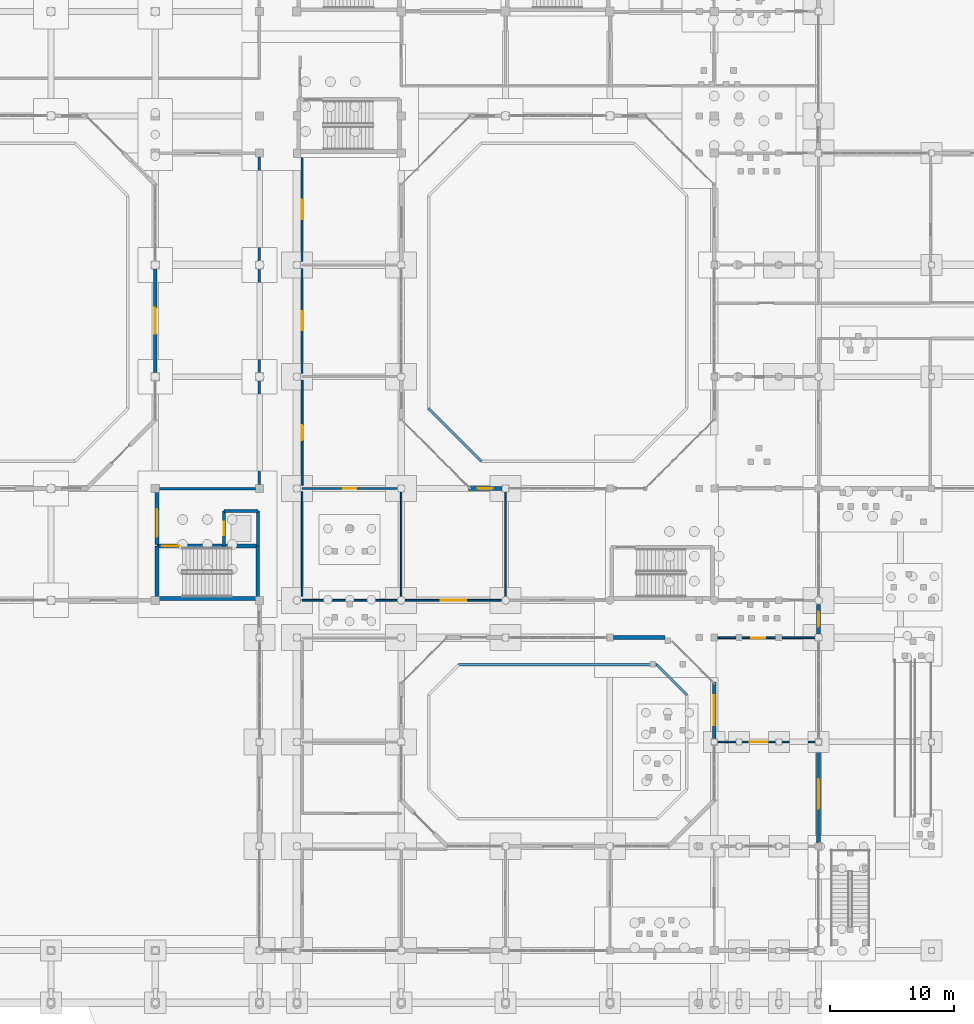
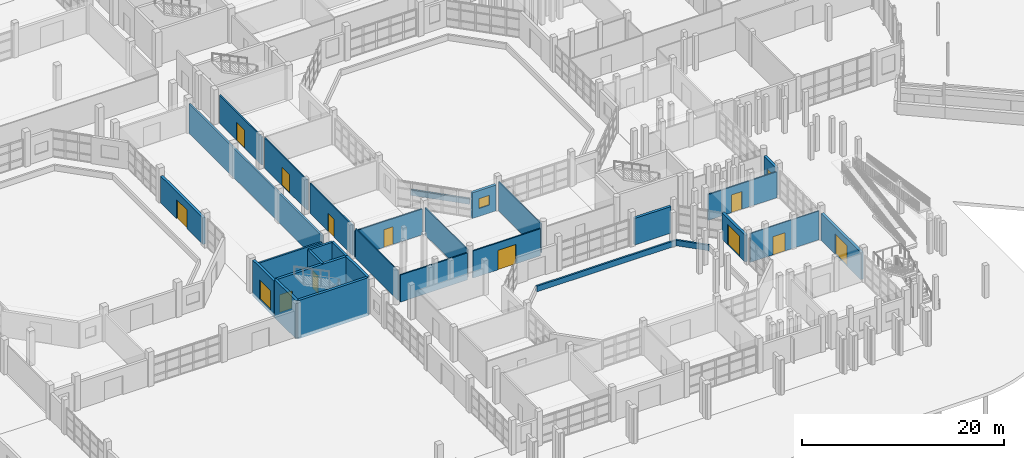
# One storey, part 59 of 88: 30 walls, 13 doors, 2 windows, 15 openings.
"""IFC4 building model written with IfcOpenShell, lengths in metres."""

from ifc_helpers import new_model, si_unit, direction, frame, frame_2d, origin, place, context, subcontext, project, spatial, rectangle, extrude, material, layer, layer_set, type_object, element, fill, save


model = new_model("IFC4")

# Units and contexts
model_context = context("Model", 3, precision=1e-05, world=origin(), true_north=direction((0.0, 1.0)))
body_context = subcontext(model_context, "Body", "Model", "MODEL_VIEW")
ifc_project = project(units=[si_unit("LENGTHUNIT", "METRE"), si_unit("AREAUNIT", "SQUARE_METRE"), si_unit("VOLUMEUNIT", "CUBIC_METRE"), si_unit("PLANEANGLEUNIT", "RADIAN"), si_unit("MASSUNIT", "GRAM", prefix="KILO")], contexts=[model_context])

# Site, building, storey
site_placement = place(None, origin())
site = spatial("IfcSite", under=ifc_project, at=site_placement, CompositionType="ELEMENT")
building_placement = place(site_placement, origin())
building = spatial("IfcBuilding", under=site, at=building_placement, Name="Vanh Quang Courtyard School", CompositionType="ELEMENT")
storey_placement = place(building_placement, origin())
storey = spatial("IfcBuildingStorey", under=building, at=storey_placement, Name="L00", CompositionType="ELEMENT", Elevation=0.0)

# Walls
ifc_material_1 = material(Name="Concrete C30/37", Category="concrete")
ifc_layer_1 = layer(ifc_material_1, 0.199951171875)
ifc_layer_set_1 = layer_set([ifc_layer_1], Name="Concrete C30/37")
wall_type_1 = type_object("IfcWallType", Name="W-COMP-200", PredefinedType="PARTITIONING", material=ifc_layer_set_1)
wall_1_placement = place(storey_placement, frame((74.3798828125, 68.076904296875, 0.0), z_axis=(0.0, 0.0, 1.0), x_axis=(0.0, -1.0, 0.0)))
element("IfcWall", 1, at=wall_1_placement, inside=storey, type_object=wall_type_1, Name="Wall W-COMP1 (L00)", PredefinedType="PARTITIONING", context=body_context, shape_type="SweptSolid", body=[
    extrude(rectangle(XDim=26.35400390625, YDim=0.199951171875, at=frame_2d((13.177001953125, 0.0))), origin(), (0.0, 0.0, 1.0), 3.56005859375),
])
wall_2_placement = place(storey_placement, frame((74.076904296875, 41.39990234375, 0.0), z_axis=(0.0, 0.0, 1.0), x_axis=(-1.0, 0.0, 0.0)))
element("IfcWall", 2, at=wall_2_placement, inside=storey, type_object=wall_type_1, Name="Wall W-COMP1 (L00)", PredefinedType="PARTITIONING", context=body_context, shape_type="SweptSolid", body=[
    extrude(rectangle(XDim=7.75390625, YDim=0.199951171875, at=frame_2d((3.876953125, 0.0))), origin(), (0.0, 0.0, 1.0), 3.1201171875),
])
ifc_material_2 = material(Name="Concrete C35/45", Category="concrete")
ifc_layer_2 = layer(ifc_material_2, 0.300048828125)
ifc_layer_set_2 = layer_set([ifc_layer_2], Name="Concrete C35/45")
wall_type_2 = type_object("IfcWallType", Name="W-CORE-300", PredefinedType="SHEAR", material=ifc_layer_set_2)
wall_3_placement = place(storey_placement, frame((66.139892578125, 32.5400390625, -0.39990234375), z_axis=(0.0, 0.0, 1.0), x_axis=(1.0, 0.0, 0.0)))
element("IfcWall", 3, at=wall_3_placement, inside=storey, type_object=wall_type_2, Name="Wall W-CORE1 (L00)", PredefinedType="SHEAR", context=body_context, shape_type="SweptSolid", body=[
    extrude(rectangle(XDim=8.1201171875, YDim=0.300048828125, at=frame_2d((4.06005859375, 0.0))), origin(), (0.0, 0.0, 1.0), 4.599853515625),
])
wall_4_placement = place(storey_placement, frame((74.260009765625, 32.5400390625, -0.39990234375), z_axis=(0.0, 0.0, 1.0), x_axis=(0.0, 1.0, 0.0)))
element("IfcWall", 4, at=wall_4_placement, inside=storey, type_object=wall_type_2, Name="Wall W-CORE1 (L00)", PredefinedType="SHEAR", context=body_context, shape_type="SweptSolid", body=[
    extrude(rectangle(XDim=4.239990234375, YDim=0.300048828125, at=frame_2d((2.1201171875, 0.0))), origin(), (0.0, 0.0, 1.0), 4.599853515625),
])

# Wall, opening, door
wall_5_placement = place(storey_placement, frame((74.260009765625, 36.780029296875, -0.39990234375), z_axis=(0.0, 0.0, 1.0), x_axis=(-1.0, 0.0, 0.0)))
wall_5 = element("IfcWall", 5, at=wall_5_placement, inside=storey, type_object=wall_type_2, Name="Wall W-CORE1 (L00)", PredefinedType="SHEAR", context=body_context, shape_type="SweptSolid", body=[
    extrude(rectangle(XDim=8.1201171875, YDim=0.300048828125, at=frame_2d((4.06005859375, 0.0))), origin(), (0.0, 0.0, 1.0), 4.599853515625),
])
opening_1_placement = place(wall_5_placement, frame((6.27001953125, 0.0, 0.39990234375)))
opening_1 = element("IfcOpeningElement", 6, at=opening_1_placement, cuts=wall_5, Name="Opening L00-DS4", PredefinedType="OPENING", context=body_context, shape_type="SweptSolid", body=[
    extrude(rectangle(XDim=1.419921875, YDim=2.14990234375, at=frame_2d((0.7099609375, 1.074951171875))), frame((0.0, 0.16015625, 0.0), z_axis=(0.0, -1.0, 0.0), x_axis=(1.0, 0.0, 0.0)), (0.0, 0.0, 1.0), 0.320068359375),
])
ifc_material_3 = material(Name="Painted galvanised steel fire door", Category="steel")
door_type_1 = type_object("IfcDoorType", Name="IDR-ST-1420x2150", OperationType="NOTDEFINED", PredefinedType="DOOR", material=ifc_material_3)
door_1_placement = place(opening_1_placement, origin())
door_1 = element("IfcDoor", 7, at=door_1_placement, inside=storey, type_object=door_type_1, Name="Door L00-DS4 (L00)", OperationType="SINGLE_SWING_RIGHT", OverallHeight=2.14990234375, OverallWidth=1.419921875, PredefinedType="DOOR", context=body_context, shape_type="SweptSolid", body=[
    extrude(rectangle(XDim=1.419921875, YDim=2.14990234375, at=frame_2d((0.7099609375, 1.074951171875))), frame((0.0, 0.02490234375, 0.0), z_axis=(0.0, -1.0, 0.0), x_axis=(1.0, 0.0, 0.0)), (0.0, 0.0, 1.0), 0.050048828125),
])
fill(opening_1, door_1)

# Wall
wall_6_placement = place(storey_placement, frame((66.139892578125, 36.780029296875, -0.39990234375), z_axis=(0.0, 0.0, 1.0), x_axis=(0.0, -1.0, 0.0)))
element("IfcWall", 8, at=wall_6_placement, inside=storey, type_object=wall_type_2, Name="Wall W-CORE1 (L00)", PredefinedType="SHEAR", context=body_context, shape_type="SweptSolid", body=[
    extrude(rectangle(XDim=4.239990234375, YDim=0.300048828125, at=frame_2d((2.1201171875, 0.0))), origin(), (0.0, 0.0, 1.0), 4.599853515625),
])

# Wall, opening, door
wall_7_placement = place(storey_placement, frame((66.139892578125, 41.10009765625, -0.39990234375), z_axis=(0.0, 0.0, 1.0), x_axis=(0.0, -1.0, 0.0)))
wall_7 = element("IfcWall", 9, at=wall_7_placement, inside=storey, type_object=wall_type_2, Name="Wall W-CORE1 (L00)", PredefinedType="SHEAR", context=body_context, shape_type="SweptSolid", body=[
    extrude(rectangle(XDim=4.22021484375, YDim=0.300048828125, at=frame_2d((2.110107421875, 0.0))), origin(), (0.0, 0.0, 1.0), 4.31982421875),
])
opening_2_placement = place(wall_7_placement, frame((1.385009765625, 0.0, 0.39990234375)))
opening_2 = element("IfcOpeningElement", 10, at=opening_2_placement, cuts=wall_7, Name="Opening L00-EXD4", PredefinedType="OPENING", context=body_context, shape_type="SweptSolid", body=[
    extrude(rectangle(XDim=2.199951171875, YDim=2.35009765625, at=frame_2d((1.10009765625, 1.175048828125))), frame((0.0, 0.16015625, 0.0), z_axis=(0.0, -1.0, 0.0), x_axis=(1.0, 0.0, 0.0)), (0.0, 0.0, 1.0), 0.320068359375),
])
ifc_material_4 = material(Name="Thermally broken aluminium and laminated safety glass", Category="aluminium")
door_type_2 = type_object("IfcDoorType", Name="EDR-TYP-12", OperationType="NOTDEFINED", PredefinedType="DOOR", material=ifc_material_4)
door_2_placement = place(opening_2_placement, origin())
door_2 = element("IfcDoor", 11, at=door_2_placement, inside=storey, type_object=door_type_2, Name="Door L00-EXD4 (L00)", OperationType="SINGLE_SWING_RIGHT", OverallHeight=2.35009765625, OverallWidth=2.199951171875, PredefinedType="DOOR", context=body_context, shape_type="SweptSolid", body=[
    extrude(rectangle(XDim=2.199951171875, YDim=2.35009765625, at=frame_2d((1.10009765625, 1.175048828125))), frame((0.0, 0.02490234375, 0.0), z_axis=(0.0, -1.0, 0.0), x_axis=(1.0, 0.0, 0.0)), (0.0, 0.0, 1.0), 0.050048828125),
])
fill(opening_2, door_2)

# Wall, opening, window
ifc_layer_3 = layer(ifc_material_2, 0.300048828125)
ifc_layer_set_3 = layer_set([ifc_layer_3], Name="Concrete C35/45")
wall_type_3 = type_object("IfcWallType", Name="W-EXT-300", PredefinedType="SOLIDWALL", material=ifc_layer_set_3)
wall_8_placement = place(storey_placement, frame((119.39990234375, 32.076904296875, 0.0), z_axis=(0.0, 0.0, 1.0), x_axis=(0.0, -1.0, 0.0)))
wall_8 = element("IfcWall", 12, at=wall_8_placement, inside=storey, type_object=wall_type_3, Name="Wall WE-01 (L00)", PredefinedType="SOLIDWALL", context=body_context, shape_type="SweptSolid", body=[
    extrude(rectangle(XDim=2.40380859375, YDim=0.300048828125, at=frame_2d((1.201904296875, 0.0))), origin(), (0.0, 0.0, 1.0), 3.330078125),
])
opening_3_placement = place(wall_8_placement, frame((0.60205078125, 0.0, 0.949951171875)))
opening_3 = element("IfcOpeningElement", 13, at=opening_3_placement, cuts=wall_8, Name="Opening WN-01", PredefinedType="OPENING", context=body_context, shape_type="SweptSolid", body=[
    extrude(rectangle(XDim=1.199951171875, YDim=1.199951171875, at=frame_2d((0.60009765625, 0.60009765625))), frame((0.0, 0.16015625, 0.0), z_axis=(0.0, -1.0, 0.0), x_axis=(1.0, 0.0, 0.0)), (0.0, 0.0, 1.0), 0.320068359375),
])
ifc_material_5 = material(Name="Anodised aluminium and low-E double glazing", Category="aluminium")
window_type = type_object("IfcWindowType", Name="WIN-TYP-01", PartitioningType="SINGLE_PANEL", PredefinedType="WINDOW", material=ifc_material_5)
window_1_placement = place(opening_3_placement, origin())
window_1 = element("IfcWindow", 14, at=window_1_placement, inside=storey, type_object=window_type, Name="Window WN-01 (L00)", OverallHeight=1.199951171875, OverallWidth=1.199951171875, PartitioningType="SINGLE_PANEL", PredefinedType="WINDOW", context=body_context, shape_type="SweptSolid", body=[
    extrude(rectangle(XDim=1.199951171875, YDim=1.199951171875, at=frame_2d((0.60009765625, 0.60009765625))), frame((0.0, 0.030029296875, 0.0), z_axis=(0.0, -1.0, 0.0), x_axis=(1.0, 0.0, 0.0)), (0.0, 0.0, 1.0), 0.06005859375),
])
fill(opening_3, window_1)

# Wall, opening, door
wall_9_placement = place(storey_placement, frame((119.39990234375, 20.72705078125, 0.0), z_axis=(0.0, 0.0, 1.0), x_axis=(0.0, -1.0, 0.0)))
wall_9 = element("IfcWall", 15, at=wall_9_placement, inside=storey, type_object=wall_type_3, Name="Wall WE-01 (L00)", PredefinedType="SOLIDWALL", context=body_context, shape_type="SweptSolid", body=[
    extrude(rectangle(XDim=7.85400390625, YDim=0.300048828125, at=frame_2d((3.927001953125, 0.0))), origin(), (0.0, 0.0, 1.0), 3.280029296875),
])
opening_4_placement = place(wall_9_placement, frame((2.72705078125, 0.0, 0.0)))
opening_4 = element("IfcOpeningElement", 16, at=opening_4_placement, cuts=wall_9, Name="Opening L00-EX23", PredefinedType="OPENING", context=body_context, shape_type="SweptSolid", body=[
    extrude(rectangle(XDim=2.39990234375, YDim=2.449951171875, at=frame_2d((1.199951171875, 1.22509765625))), frame((0.0, 0.16015625, 0.0), z_axis=(0.0, -1.0, 0.0), x_axis=(1.0, 0.0, 0.0)), (0.0, 0.0, 1.0), 0.320068359375),
])
door_type_3 = type_object("IfcDoorType", Name="EDR-TYP-14", OperationType="NOTDEFINED", PredefinedType="DOOR", material=ifc_material_4)
door_3_placement = place(opening_4_placement, origin())
door_3 = element("IfcDoor", 17, at=door_3_placement, inside=storey, type_object=door_type_3, Name="Door L00-EX23 (L00)", OperationType="DOUBLE_DOOR_SINGLE_SWING", OverallHeight=2.449951171875, OverallWidth=2.39990234375, PredefinedType="DOOR", context=body_context, shape_type="SweptSolid", body=[
    extrude(rectangle(XDim=2.39990234375, YDim=2.449951171875, at=frame_2d((1.199951171875, 1.22509765625))), frame((0.0, 0.02490234375, 0.0), z_axis=(0.0, -1.0, 0.0), x_axis=(1.0, 0.0, 0.0)), (0.0, 0.0, 1.0), 0.050048828125),
])
fill(opening_4, door_3)

# Wall
wall_10_placement = place(storey_placement, frame((107.027099609375, 29.39990234375, 0.0), z_axis=(0.0, 0.0, 1.0), x_axis=(-1.0, 0.0, 0.0)))
element("IfcWall", 18, at=wall_10_placement, inside=storey, type_object=wall_type_3, Name="Wall WE-01 (L00)", PredefinedType="SOLIDWALL", context=body_context, shape_type="SweptSolid", body=[
    extrude(rectangle(XDim=4.154052734375, YDim=0.300048828125, at=frame_2d((2.0771484375, 0.0))), origin(), (0.0, 0.0, 1.0), 3.219970703125),
])

# Wall, opening, door
wall_11_placement = place(storey_placement, frame((111.0, 21.27294921875, 0.0), z_axis=(0.0, 0.0, 1.0), x_axis=(0.0, 1.0, 0.0)))
wall_11 = element("IfcWall", 19, at=wall_11_placement, inside=storey, type_object=wall_type_3, Name="Wall WE-01 (L00)", PredefinedType="SOLIDWALL", context=body_context, shape_type="SweptSolid", body=[
    extrude(rectangle(XDim=4.551025390625, YDim=0.300048828125, at=frame_2d((2.275390625, 0.0))), origin(), (0.0, 0.0, 1.0), 3.219970703125),
])
opening_5_placement = place(wall_11_placement, frame((1.075439453125, 0.0, 0.0)))
opening_5 = element("IfcOpeningElement", 20, at=opening_5_placement, cuts=wall_11, Name="Opening L00-EX37", PredefinedType="OPENING", context=body_context, shape_type="SweptSolid", body=[
    extrude(rectangle(XDim=2.39990234375, YDim=2.449951171875, at=frame_2d((1.199951171875, 1.22509765625))), frame((0.0, 0.16015625, 0.0), z_axis=(0.0, -1.0, 0.0), x_axis=(1.0, 0.0, 0.0)), (0.0, 0.0, 1.0), 0.320068359375),
])
door_4_placement = place(opening_5_placement, origin())
door_4 = element("IfcDoor", 21, at=door_4_placement, inside=storey, type_object=door_type_3, Name="Door L00-EX37 (L00)", OperationType="DOUBLE_DOOR_SINGLE_SWING", OverallHeight=2.449951171875, OverallWidth=2.39990234375, PredefinedType="DOOR", context=body_context, shape_type="SweptSolid", body=[
    extrude(rectangle(XDim=2.39990234375, YDim=2.449951171875, at=frame_2d((1.199951171875, 1.22509765625))), frame((0.0, 0.02490234375, 0.0), z_axis=(0.0, -1.0, 0.0), x_axis=(1.0, 0.0, 0.0)), (0.0, 0.0, 1.0), 0.050048828125),
])
fill(opening_5, door_4)

wall_12_placement = place(storey_placement, frame((66.0, 50.722900390625, 0.0), z_axis=(0.0, 0.0, 1.0), x_axis=(0.0, 1.0, 0.0)))
wall_12 = element("IfcWall", 22, at=wall_12_placement, inside=storey, type_object=wall_type_3, Name="Wall WE-01 (L00)", PredefinedType="SOLIDWALL", context=body_context, shape_type="SweptSolid", body=[
    extrude(rectangle(XDim=8.35400390625, YDim=0.300048828125, at=frame_2d((4.177001953125, 0.0))), origin(), (0.0, 0.0, 1.0), 3.219970703125),
])
opening_6_placement = place(wall_12_placement, frame((3.126953125, 0.0, 0.0)))
opening_6 = element("IfcOpeningElement", 23, at=opening_6_placement, cuts=wall_12, Name="Opening L00-EX40", PredefinedType="OPENING", context=body_context, shape_type="SweptSolid", body=[
    extrude(rectangle(XDim=2.10009765625, YDim=2.300048828125, at=frame_2d((1.050048828125, 1.14990234375))), frame((0.0, 0.16015625, 0.0), z_axis=(0.0, -1.0, 0.0), x_axis=(1.0, 0.0, 0.0)), (0.0, 0.0, 1.0), 0.320068359375),
])
door_type_4 = type_object("IfcDoorType", Name="EDR-TYP-11", OperationType="NOTDEFINED", PredefinedType="DOOR", material=ifc_material_4)
door_5_placement = place(opening_6_placement, origin())
door_5 = element("IfcDoor", 24, at=door_5_placement, inside=storey, type_object=door_type_4, Name="Door L00-EX40 (L00)", OperationType="DOUBLE_DOOR_SINGLE_SWING", OverallHeight=2.300048828125, OverallWidth=2.10009765625, PredefinedType="DOOR", context=body_context, shape_type="SweptSolid", body=[
    extrude(rectangle(XDim=2.10009765625, YDim=2.300048828125, at=frame_2d((1.050048828125, 1.14990234375))), frame((0.0, 0.02490234375, 0.0), z_axis=(0.0, -1.0, 0.0), x_axis=(1.0, 0.0, 0.0)), (0.0, 0.0, 1.0), 0.050048828125),
])
fill(opening_6, door_5)

# Wall, opening, window
wall_13_placement = place(storey_placement, frame((91.22412109375, 41.39990234375, 0.0), z_axis=(0.0, 0.0, 1.0), x_axis=(1.0, 0.0, 0.0)))
wall_13 = element("IfcWall", 25, at=wall_13_placement, inside=storey, type_object=wall_type_3, Name="Wall WE-01 (L00)", PredefinedType="SOLIDWALL", context=body_context, shape_type="SweptSolid", body=[
    extrude(rectangle(XDim=2.702880859375, YDim=0.300048828125, at=frame_2d((1.3515625, 0.0))), origin(), (0.0, 0.0, 1.0), 3.1201171875),
])
opening_7_placement = place(wall_13_placement, frame((0.75146484375, 0.0, 0.949951171875)))
opening_7 = element("IfcOpeningElement", 26, at=opening_7_placement, cuts=wall_13, Name="Opening WN-01", PredefinedType="OPENING", context=body_context, shape_type="SweptSolid", body=[
    extrude(rectangle(XDim=1.199951171875, YDim=1.199951171875, at=frame_2d((0.60009765625, 0.60009765625))), frame((0.0, 0.16015625, 0.0), z_axis=(0.0, -1.0, 0.0), x_axis=(1.0, 0.0, 0.0)), (0.0, 0.0, 1.0), 0.320068359375),
])
window_2_placement = place(opening_7_placement, origin())
window_2 = element("IfcWindow", 27, at=window_2_placement, inside=storey, type_object=window_type, Name="Window WN-01 (L00)", OverallHeight=1.199951171875, OverallWidth=1.199951171875, PartitioningType="SINGLE_PANEL", PredefinedType="WINDOW", context=body_context, shape_type="SweptSolid", body=[
    extrude(rectangle(XDim=1.199951171875, YDim=1.199951171875, at=frame_2d((0.60009765625, 0.60009765625))), frame((0.0, 0.030029296875, 0.0), z_axis=(0.0, -1.0, 0.0), x_axis=(1.0, 0.0, 0.0)), (0.0, 0.0, 1.0), 0.06005859375),
])
fill(opening_7, window_2)

# Walls
ifc_layer_4 = layer(ifc_material_2, 0.199951171875)
ifc_layer_set_4 = layer_set([ifc_layer_4], Name="Concrete C35/45")
wall_type_4 = type_object("IfcWallType", Name="W-PAR-200", PredefinedType="PARAPET", material=ifc_layer_set_4)
wall_14_placement = place(storey_placement, frame((90.4072265625, 27.199951171875, 0.0), z_axis=(0.0, 0.0, 1.0), x_axis=(1.0, 0.0, 0.0)))
element("IfcWall", 28, at=wall_14_placement, inside=storey, type_object=wall_type_4, Name="Wall WP-01 (L00)", PredefinedType="PARAPET", context=body_context, shape_type="SweptSolid", body=[
    extrude(rectangle(XDim=15.9853515625, YDim=0.199951171875, at=frame_2d((7.99267578125, 0.0))), origin(), (0.0, 0.0, 1.0), 0.679931640625),
])
wall_15_placement = place(storey_placement, frame((106.392578125, 27.199951171875, 0.0), z_axis=(0.0, 0.0, 1.0), x_axis=(0.707142635801, -0.707070924754, 0.0)))
element("IfcWall", 29, at=wall_15_placement, inside=storey, type_object=wall_type_4, Name="Wall WP-01 (L00)", PredefinedType="PARAPET", context=body_context, shape_type="SweptSolid", body=[
    extrude(rectangle(XDim=3.404541015625, YDim=0.199951171875, at=frame_2d((1.7021484375, 0.0))), origin(), (0.0, 0.0, 1.0), 0.679931640625),
])
wall_16_placement = place(storey_placement, frame((92.25537109375, 43.60009765625, 0.0), z_axis=(0.0, 0.0, 1.0), x_axis=(-0.707127065665, 0.707086496126, 0.0)))
element("IfcWall", 30, at=wall_16_placement, inside=storey, type_object=wall_type_4, Name="Wall WP-01 (L00)", PredefinedType="PARAPET", context=body_context, shape_type="SweptSolid", body=[
    extrude(rectangle(XDim=6.017822265625, YDim=0.199951171875, at=frame_2d((3.0087890625, 0.0))), origin(), (0.0, 0.0, 1.0), 0.679931640625),
])
ifc_material_6 = material(Name="Acoustic gypsum stud partition", Category="gypsum")
ifc_layer_5 = layer(ifc_material_6, 0.1201171875)
ifc_layer_set_5 = layer_set([ifc_layer_5], Name="Acoustic gypsum stud partition")
wall_type_5 = type_object("IfcWallType", Name="W-PART-120", PredefinedType="PARTITIONING", material=ifc_layer_set_5)
wall_17_placement = place(storey_placement, frame((85.800048828125, 41.126953125, 0.0), z_axis=(0.0, 0.0, 1.0), x_axis=(0.0, -1.0, 0.0)))
element("IfcWall", 31, at=wall_17_placement, inside=storey, type_object=wall_type_5, Name="Wall W-PRT2 (L00)", PredefinedType="PARTITIONING", context=body_context, shape_type="SweptSolid", body=[
    extrude(rectangle(XDim=8.404052734375, YDim=0.1201171875, at=frame_2d((4.2021484375, 0.0))), origin(), (0.0, 0.0, 1.0), 3.320068359375),
])
wall_18_placement = place(storey_placement, frame((77.820068359375, 32.722900390625, 0.0), z_axis=(0.0, 0.0, 1.0), x_axis=(0.0, 1.0, 0.0)))
element("IfcWall", 32, at=wall_18_placement, inside=storey, type_object=wall_type_5, Name="Wall W-PRT2 (L00)", PredefinedType="PARTITIONING", context=body_context, shape_type="SweptSolid", body=[
    extrude(rectangle(XDim=8.404052734375, YDim=0.1201171875, at=frame_2d((4.2021484375, 0.0))), origin(), (0.0, 0.0, 1.0), 3.590087890625),
])
wall_19_placement = place(storey_placement, frame((94.199951171875, 41.126953125, 0.0), z_axis=(0.0, 0.0, 1.0), x_axis=(0.0, -1.0, 0.0)))
element("IfcWall", 33, at=wall_19_placement, inside=storey, type_object=wall_type_5, Name="Wall W-PRT2 (L00)", PredefinedType="PARTITIONING", context=body_context, shape_type="SweptSolid", body=[
    extrude(rectangle(XDim=8.404052734375, YDim=0.1201171875, at=frame_2d((4.2021484375, 0.0))), origin(), (0.0, 0.0, 1.0), 3.52001953125),
])

# Wall, opening, door
wall_20_placement = place(storey_placement, frame((111.27294921875, 21.0, 0.0), z_axis=(0.0, 0.0, 1.0), x_axis=(1.0, 0.0, 0.0)))
wall_20 = element("IfcWall", 34, at=wall_20_placement, inside=storey, type_object=wall_type_5, Name="Wall W-PRT2 (L00)", PredefinedType="PARTITIONING", context=body_context, shape_type="SweptSolid", body=[
    extrude(rectangle(XDim=7.85400390625, YDim=0.1201171875, at=frame_2d((3.927001953125, 0.0))), origin(), (0.0, 0.0, 1.0), 3.489990234375),
])
opening_8_placement = place(wall_20_placement, frame((2.576904296875, 0.0, 0.0)))
opening_8 = element("IfcOpeningElement", 35, at=opening_8_placement, cuts=wall_20, Name="Opening L00-D040", PredefinedType="OPENING", context=body_context, shape_type="SweptSolid", body=[
    extrude(rectangle(XDim=1.39990234375, YDim=2.199951171875, at=frame_2d((0.699951171875, 1.10009765625))), frame((0.0, 0.070068359375, 0.0), z_axis=(0.0, -1.0, 0.0), x_axis=(1.0, 0.0, 0.0)), (0.0, 0.0, 1.0), 0.14013671875),
])
ifc_material_7 = material(Name="Solid-core hardwood acoustic door", Category="wood")
door_type_5 = type_object("IfcDoorType", Name="IDR-STU-1400x2200", OperationType="NOTDEFINED", PredefinedType="DOOR", material=ifc_material_7)
door_6_placement = place(opening_8_placement, origin())
door_6 = element("IfcDoor", 36, at=door_6_placement, inside=storey, type_object=door_type_5, Name="Door L00-D040 (L00)", OperationType="SINGLE_SWING_LEFT", OverallHeight=2.199951171875, OverallWidth=1.39990234375, PredefinedType="DOOR", context=body_context, shape_type="SweptSolid", body=[
    extrude(rectangle(XDim=1.39990234375, YDim=2.199951171875, at=frame_2d((0.699951171875, 1.10009765625))), frame((0.0, 0.02490234375, 0.0), z_axis=(0.0, -1.0, 0.0), x_axis=(1.0, 0.0, 0.0)), (0.0, 0.0, 1.0), 0.050048828125),
])
fill(opening_8, door_6)

ifc_material_8 = material(Name="Autoclaved aerated masonry blockwork", Category="masonry")
ifc_layer_6 = layer(ifc_material_8, 0.14990234375)
ifc_layer_set_6 = layer_set([ifc_layer_6], Name="Autoclaved aerated masonry blockwork")
wall_type_6 = type_object("IfcWallType", Name="W-PART-150", PredefinedType="PARTITIONING", material=ifc_layer_set_6)
wall_21_placement = place(storey_placement, frame((77.820068359375, 41.39990234375, 0.0), z_axis=(0.0, 0.0, 1.0), x_axis=(1.0, 0.0, 0.0)))
wall_21 = element("IfcWall", 37, at=wall_21_placement, inside=storey, type_object=wall_type_6, Name="Wall W-PRT1 (L00)", PredefinedType="PARTITIONING", context=body_context, shape_type="SweptSolid", body=[
    extrude(rectangle(XDim=7.70703125, YDim=0.14990234375, at=frame_2d((3.853515625, 0.0))), origin(), (0.0, 0.0, 1.0), 3.1201171875),
])
opening_9_placement = place(wall_21_placement, frame((3.32861328125, 0.0, 0.0)))
opening_9 = element("IfcOpeningElement", 38, at=opening_9_placement, cuts=wall_21, Name="Opening L00-D023", PredefinedType="OPENING", context=body_context, shape_type="SweptSolid", body=[
    extrude(rectangle(XDim=1.050048828125, YDim=2.14990234375, at=frame_2d((0.52490234375, 1.074951171875))), frame((0.0, 0.0849609375, 0.0), z_axis=(0.0, -1.0, 0.0), x_axis=(1.0, 0.0, 0.0)), (0.0, 0.0, 1.0), 0.169921875),
])
door_type_6 = type_object("IfcDoorType", Name="IDR-FD-1050x2150", OperationType="NOTDEFINED", PredefinedType="DOOR", material=ifc_material_3)
door_7_placement = place(opening_9_placement, origin())
door_7 = element("IfcDoor", 39, at=door_7_placement, inside=storey, type_object=door_type_6, Name="Door L00-D023 (L00)", OperationType="SINGLE_SWING_RIGHT", OverallHeight=2.14990234375, OverallWidth=1.050048828125, PredefinedType="DOOR", context=body_context, shape_type="SweptSolid", body=[
    extrude(rectangle(XDim=1.050048828125, YDim=2.14990234375, at=frame_2d((0.52490234375, 1.074951171875))), frame((0.0, 0.02490234375, 0.0), z_axis=(0.0, -1.0, 0.0), x_axis=(1.0, 0.0, 0.0)), (0.0, 0.0, 1.0), 0.050048828125),
])
fill(opening_9, door_7)

# Wall
wall_22_placement = place(storey_placement, frame((85.47705078125, 32.39990234375, 0.0), z_axis=(0.0, 0.0, 1.0), x_axis=(-1.0, 0.0, 0.0)))
element("IfcWall", 40, at=wall_22_placement, inside=storey, type_object=wall_type_6, Name="Wall W-PRT1 (L00)", PredefinedType="PARTITIONING", context=body_context, shape_type="SweptSolid", body=[
    extrude(rectangle(XDim=7.656982421875, YDim=0.14990234375, at=frame_2d((3.82861328125, 0.0))), origin(), (0.0, 0.0, 1.0), 3.27001953125),
])

# Wall, opening, door
wall_23_placement = place(storey_placement, frame((77.820068359375, 41.673095703125, 0.0), z_axis=(0.0, 0.0, 1.0), x_axis=(0.0, 1.0, 0.0)))
wall_23 = element("IfcWall", 41, at=wall_23_placement, inside=storey, type_object=wall_type_6, Name="Wall W-PRT1 (L00)", PredefinedType="PARTITIONING", context=body_context, shape_type="SweptSolid", body=[
    extrude(rectangle(XDim=8.453857421875, YDim=0.14990234375, at=frame_2d((4.22705078125, 0.0))), origin(), (0.0, 0.0, 1.0), 3.6201171875),
])
opening_10_placement = place(wall_23_placement, frame((3.626953125, 0.0, 0.0)))
opening_10 = element("IfcOpeningElement", 42, at=opening_10_placement, cuts=wall_23, Name="Opening L00-D024", PredefinedType="OPENING", context=body_context, shape_type="SweptSolid", body=[
    extrude(rectangle(XDim=1.199951171875, YDim=2.14990234375, at=frame_2d((0.60009765625, 1.074951171875))), frame((0.0, 0.0849609375, 0.0), z_axis=(0.0, -1.0, 0.0), x_axis=(1.0, 0.0, 0.0)), (0.0, 0.0, 1.0), 0.169921875),
])
door_type_7 = type_object("IfcDoorType", Name="IDR-FD-1200x2150", OperationType="NOTDEFINED", PredefinedType="DOOR", material=ifc_material_3)
door_8_placement = place(opening_10_placement, origin())
door_8 = element("IfcDoor", 43, at=door_8_placement, inside=storey, type_object=door_type_7, Name="Door L00-D024 (L00)", OperationType="SINGLE_SWING_LEFT", OverallHeight=2.14990234375, OverallWidth=1.199951171875, PredefinedType="DOOR", context=body_context, shape_type="SweptSolid", body=[
    extrude(rectangle(XDim=1.199951171875, YDim=2.14990234375, at=frame_2d((0.60009765625, 1.074951171875))), frame((0.0, 0.02490234375, 0.0), z_axis=(0.0, -1.0, 0.0), x_axis=(1.0, 0.0, 0.0)), (0.0, 0.0, 1.0), 0.050048828125),
])
fill(opening_10, door_8)

wall_24_placement = place(storey_placement, frame((77.820068359375, 50.673095703125, 0.0), z_axis=(0.0, 0.0, 1.0), x_axis=(0.0, 1.0, 0.0)))
wall_24 = element("IfcWall", 44, at=wall_24_placement, inside=storey, type_object=wall_type_6, Name="Wall W-PRT1 (L00)", PredefinedType="PARTITIONING", context=body_context, shape_type="SweptSolid", body=[
    extrude(rectangle(XDim=8.453857421875, YDim=0.14990234375, at=frame_2d((4.22705078125, 0.0))), origin(), (0.0, 0.0, 1.0), 3.64990234375),
])
opening_11_placement = place(wall_24_placement, frame((3.451904296875, 0.0, 0.0)))
opening_11 = element("IfcOpeningElement", 45, at=opening_11_placement, cuts=wall_24, Name="Opening L00-D025", PredefinedType="OPENING", context=body_context, shape_type="SweptSolid", body=[
    extrude(rectangle(XDim=1.550048828125, YDim=2.199951171875, at=frame_2d((0.77490234375, 1.10009765625))), frame((0.0, 0.0849609375, 0.0), z_axis=(0.0, -1.0, 0.0), x_axis=(1.0, 0.0, 0.0)), (0.0, 0.0, 1.0), 0.169921875),
])
door_type_8 = type_object("IfcDoorType", Name="IDR-KIT-1550x2200", OperationType="NOTDEFINED", PredefinedType="DOOR", material=ifc_material_3)
door_9_placement = place(opening_11_placement, origin())
door_9 = element("IfcDoor", 46, at=door_9_placement, inside=storey, type_object=door_type_8, Name="Door L00-D025 (L00)", OperationType="DOUBLE_DOOR_SINGLE_SWING", OverallHeight=2.199951171875, OverallWidth=1.550048828125, PredefinedType="DOOR", context=body_context, shape_type="SweptSolid", body=[
    extrude(rectangle(XDim=1.550048828125, YDim=2.199951171875, at=frame_2d((0.77490234375, 1.10009765625))), frame((0.0, 0.02490234375, 0.0), z_axis=(0.0, -1.0, 0.0), x_axis=(1.0, 0.0, 0.0)), (0.0, 0.0, 1.0), 0.050048828125),
])
fill(opening_11, door_9)

wall_25_placement = place(storey_placement, frame((77.820068359375, 59.673095703125, 0.0), z_axis=(0.0, 0.0, 1.0), x_axis=(0.0, 1.0, 0.0)))
wall_25 = element("IfcWall", 47, at=wall_25_placement, inside=storey, type_object=wall_type_6, Name="Wall W-PRT1 (L00)", PredefinedType="PARTITIONING", context=body_context, shape_type="SweptSolid", body=[
    extrude(rectangle(XDim=8.37890625, YDim=0.14990234375, at=frame_2d((4.189453125, 0.0))), origin(), (0.0, 0.0, 1.0), 3.419921875),
])
opening_12_placement = place(wall_25_placement, frame((3.389404296875, 0.0, 0.0)))
opening_12 = element("IfcOpeningElement", 48, at=opening_12_placement, cuts=wall_25, Name="Opening L00-D026", PredefinedType="OPENING", context=body_context, shape_type="SweptSolid", body=[
    extrude(rectangle(XDim=1.60009765625, YDim=2.199951171875, at=frame_2d((0.800048828125, 1.10009765625))), frame((0.0, 0.0849609375, 0.0), z_axis=(0.0, -1.0, 0.0), x_axis=(1.0, 0.0, 0.0)), (0.0, 0.0, 1.0), 0.169921875),
])
door_type_9 = type_object("IfcDoorType", Name="IDR-FD-1600x2200", OperationType="NOTDEFINED", PredefinedType="DOOR", material=ifc_material_3)
door_10_placement = place(opening_12_placement, origin())
door_10 = element("IfcDoor", 49, at=door_10_placement, inside=storey, type_object=door_type_9, Name="Door L00-D026 (L00)", OperationType="DOUBLE_DOOR_SINGLE_SWING", OverallHeight=2.199951171875, OverallWidth=1.60009765625, PredefinedType="DOOR", context=body_context, shape_type="SweptSolid", body=[
    extrude(rectangle(XDim=1.60009765625, YDim=2.199951171875, at=frame_2d((0.800048828125, 1.10009765625))), frame((0.0, 0.02490234375, 0.0), z_axis=(0.0, -1.0, 0.0), x_axis=(1.0, 0.0, 0.0)), (0.0, 0.0, 1.0), 0.050048828125),
])
fill(opening_12, door_10)

wall_26_placement = place(storey_placement, frame((93.876953125, 32.39990234375, 0.0), z_axis=(0.0, 0.0, 1.0), x_axis=(-1.0, 0.0, 0.0)))
wall_26 = element("IfcWall", 50, at=wall_26_placement, inside=storey, type_object=wall_type_6, Name="Wall W-PRT1 (L00)", PredefinedType="PARTITIONING", context=body_context, shape_type="SweptSolid", body=[
    extrude(rectangle(XDim=7.75390625, YDim=0.14990234375, at=frame_2d((3.876953125, 0.0))), origin(), (0.0, 0.0, 1.0), 3.27001953125),
])
opening_13_placement = place(wall_26_placement, frame((2.85205078125, 0.0, 0.0)))
opening_13 = element("IfcOpeningElement", 51, at=opening_13_placement, cuts=wall_26, Name="Opening L00-D029", PredefinedType="OPENING", context=body_context, shape_type="SweptSolid", body=[
    extrude(rectangle(XDim=2.050048828125, YDim=2.35009765625, at=frame_2d((1.02490234375, 1.175048828125))), frame((0.0, 0.0849609375, 0.0), z_axis=(0.0, -1.0, 0.0), x_axis=(1.0, 0.0, 0.0)), (0.0, 0.0, 1.0), 0.169921875),
])
door_type_10 = type_object("IfcDoorType", Name="IDR-HAL-2050x2350", OperationType="NOTDEFINED", PredefinedType="DOOR", material=ifc_material_3)
door_11_placement = place(opening_13_placement, origin())
door_11 = element("IfcDoor", 52, at=door_11_placement, inside=storey, type_object=door_type_10, Name="Door L00-D029 (L00)", OperationType="DOUBLE_DOOR_SINGLE_SWING", OverallHeight=2.35009765625, OverallWidth=2.050048828125, PredefinedType="DOOR", context=body_context, shape_type="SweptSolid", body=[
    extrude(rectangle(XDim=2.050048828125, YDim=2.35009765625, at=frame_2d((1.02490234375, 1.175048828125))), frame((0.0, 0.02490234375, 0.0), z_axis=(0.0, -1.0, 0.0), x_axis=(1.0, 0.0, 0.0)), (0.0, 0.0, 1.0), 0.050048828125),
])
fill(opening_13, door_11)

wall_27_placement = place(storey_placement, frame((111.27294921875, 29.3798828125, 0.0), z_axis=(0.0, 0.0, 1.0), x_axis=(1.0, 0.0, 0.0)))
wall_27 = element("IfcWall", 53, at=wall_27_placement, inside=storey, type_object=wall_type_6, Name="Wall W-PRT1 (L00)", PredefinedType="PARTITIONING", context=body_context, shape_type="SweptSolid", body=[
    extrude(rectangle(XDim=7.85400390625, YDim=0.14990234375, at=frame_2d((3.927001953125, 0.0))), origin(), (0.0, 0.0, 1.0), 3.1298828125),
])
opening_14_placement = place(wall_27_placement, frame((2.701904296875, 0.0, 0.0)))
opening_14 = element("IfcOpeningElement", 54, at=opening_14_placement, cuts=wall_27, Name="Opening L00-D041", PredefinedType="OPENING", context=body_context, shape_type="SweptSolid", body=[
    extrude(rectangle(XDim=1.14990234375, YDim=2.14990234375, at=frame_2d((0.574951171875, 1.074951171875))), frame((0.0, 0.0849609375, 0.0), z_axis=(0.0, -1.0, 0.0), x_axis=(1.0, 0.0, 0.0)), (0.0, 0.0, 1.0), 0.169921875),
])
door_type_11 = type_object("IfcDoorType", Name="IDR-LAB-1150x2150", OperationType="NOTDEFINED", PredefinedType="DOOR", material=ifc_material_3)
door_12_placement = place(opening_14_placement, origin())
door_12 = element("IfcDoor", 55, at=door_12_placement, inside=storey, type_object=door_type_11, Name="Door L00-D041 (L00)", OperationType="SINGLE_SWING_RIGHT", OverallHeight=2.14990234375, OverallWidth=1.14990234375, PredefinedType="DOOR", context=body_context, shape_type="SweptSolid", body=[
    extrude(rectangle(XDim=1.14990234375, YDim=2.14990234375, at=frame_2d((0.574951171875, 1.074951171875))), frame((0.0, 0.02490234375, 0.0), z_axis=(0.0, -1.0, 0.0), x_axis=(1.0, 0.0, 0.0)), (0.0, 0.0, 1.0), 0.050048828125),
])
fill(opening_14, door_12)

ifc_layer_7 = layer(ifc_material_2, 0.25)
ifc_layer_set_7 = layer_set([ifc_layer_7], Name="Concrete C35/45")
wall_type_7 = type_object("IfcWallType", Name="W-SHFT-250", PredefinedType="SHEAR", material=ifc_layer_set_7)
wall_28_placement = place(storey_placement, frame((71.52001953125, 39.580078125, -0.39990234375), z_axis=(0.0, 0.0, 1.0), x_axis=(0.0, -1.0, 0.0)))
wall_28 = element("IfcWall", 56, at=wall_28_placement, inside=storey, type_object=wall_type_7, Name="Wall W-SHFT1 (L00)", PredefinedType="SHEAR", context=body_context, shape_type="SweptSolid", body=[
    extrude(rectangle(XDim=2.800048828125, YDim=0.25, at=frame_2d((1.39990234375, 0.0))), origin(), (0.0, 0.0, 1.0), 4.599853515625),
])
opening_15_placement = place(wall_28_placement, frame((0.85009765625, 0.0, 0.39990234375)))
opening_15 = element("IfcOpeningElement", 57, at=opening_15_placement, cuts=wall_28, Name="Opening LD-04-L00", PredefinedType="OPENING", context=body_context, shape_type="SweptSolid", body=[
    extrude(rectangle(XDim=1.10009765625, YDim=2.14990234375, at=frame_2d((0.550048828125, 1.074951171875))), frame((0.0, 0.135009765625, 0.0), z_axis=(0.0, -1.0, 0.0), x_axis=(1.0, 0.0, 0.0)), (0.0, 0.0, 1.0), 0.27001953125),
])
door_type_12 = type_object("IfcDoorType", Name="IDR-LD-1100x2150", OperationType="NOTDEFINED", PredefinedType="DOOR", material=ifc_material_3)
door_13_placement = place(opening_15_placement, origin())
door_13 = element("IfcDoor", 58, at=door_13_placement, inside=storey, type_object=door_type_12, Name="Door LD-04-L00 (L00)", OperationType="DOUBLE_DOOR_SLIDING", OverallHeight=2.14990234375, OverallWidth=1.10009765625, PredefinedType="DOOR", context=body_context, shape_type="SweptSolid", body=[
    extrude(rectangle(XDim=1.10009765625, YDim=2.14990234375, at=frame_2d((0.550048828125, 1.074951171875))), frame((0.0, 0.02490234375, 0.0), z_axis=(0.0, -1.0, 0.0), x_axis=(1.0, 0.0, 0.0)), (0.0, 0.0, 1.0), 0.050048828125),
])
fill(opening_15, door_13)

# Walls
wall_29_placement = place(storey_placement, frame((74.260009765625, 39.580078125, -0.39990234375), z_axis=(0.0, 0.0, 1.0), x_axis=(-1.0, 0.0, 0.0)))
element("IfcWall", 59, at=wall_29_placement, inside=storey, type_object=wall_type_7, Name="Wall W-SHFT1 (L00)", PredefinedType="SHEAR", context=body_context, shape_type="SweptSolid", body=[
    extrude(rectangle(XDim=2.739990234375, YDim=0.25, at=frame_2d((1.3701171875, 0.0))), origin(), (0.0, 0.0, 1.0), 4.599853515625),
])
wall_30_placement = place(storey_placement, frame((74.260009765625, 36.780029296875, -0.39990234375), z_axis=(0.0, 0.0, 1.0), x_axis=(0.0, 1.0, 0.0)))
element("IfcWall", 60, at=wall_30_placement, inside=storey, type_object=wall_type_7, Name="Wall W-SHFT1 (L00)", PredefinedType="SHEAR", context=body_context, shape_type="SweptSolid", body=[
    extrude(rectangle(XDim=2.800048828125, YDim=0.25, at=frame_2d((1.39990234375, 0.0))), origin(), (0.0, 0.0, 1.0), 4.599853515625),
])

save(model, "model.ifc")
